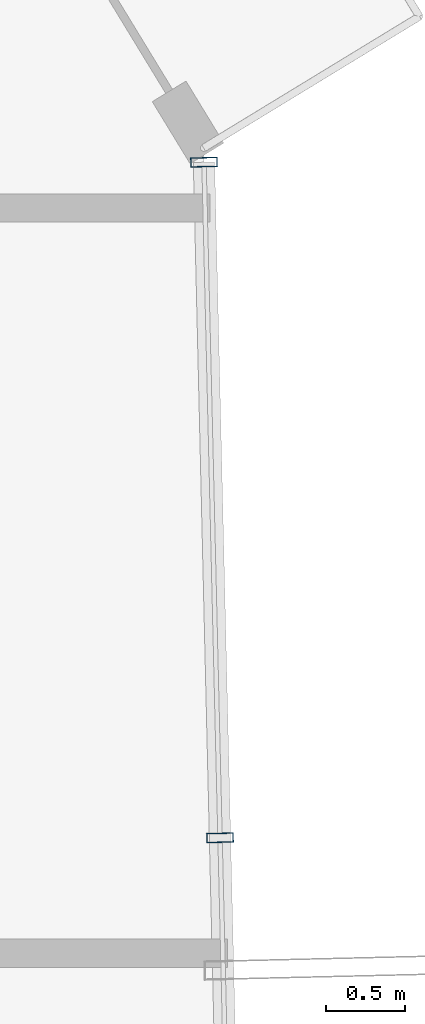
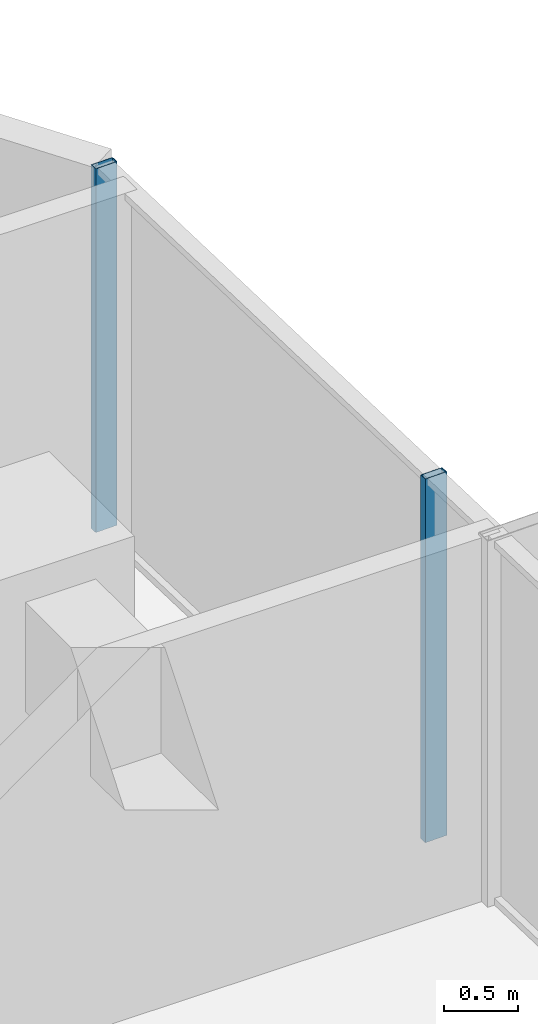
# One storey, part 16 of 31: 2 members, 1 element without a shape of its own.
"""IFC4 building model written with IfcOpenShell, lengths in metres."""

from ifc_helpers import new_model, si_unit, direction, frame, origin, origin_2d, place, context, subcontext, project, spatial, hollow_rectangle, extrude, source, transform, mapped, material, layer, layer_set, material_profile, profile_set, type_object, element, aggregate, save


model = new_model("IFC4")

# Units and contexts
model_context = context("Model", 3, precision=1e-05, world=origin(), true_north=direction((0.0, 1.0)))
body_context = subcontext(model_context, "Body", "Model", "MODEL_VIEW")
ifc_project = project(units=[si_unit("LENGTHUNIT", "METRE"), si_unit("AREAUNIT", "SQUARE_METRE"), si_unit("VOLUMEUNIT", "CUBIC_METRE"), si_unit("PLANEANGLEUNIT", "RADIAN"), si_unit("MASSUNIT", "GRAM", prefix="KILO")], contexts=[model_context])

# Site, building, storey
site_placement = place(None, origin())
site = spatial("IfcSite", under=ifc_project, at=site_placement, CompositionType="ELEMENT")
building_placement = place(site_placement, origin())
building = spatial("IfcBuilding", under=site, at=building_placement, Name="Veraguas Prism Commons", CompositionType="ELEMENT")
storey_placement = place(building_placement, frame((0.0, 0.0, 132.75)))
storey = spatial("IfcBuildingStorey", under=building, at=storey_placement, Name="L37", CompositionType="ELEMENT", Elevation=132.75)

# Curtain wall, members
ifc_material = material(Name="Anodised aluminium EN AW-6063 T6", Category="aluminium")
ifc_layer = layer(ifc_material, 0.169921875, Name="Unitised Flush Curtain Wall Zone 2", Category="aluminium")
ifc_layer_set = layer_set([ifc_layer], Name="Anodised aluminium EN AW-6063 T6")
curtain_wall_type = type_object("IfcCurtainWallType", Name="Unitised Flush Curtain Wall Zone 2", PredefinedType="NOTDEFINED", material=ifc_layer_set)
curtain_wall_placement = place(storey_placement, origin())
curtain_wall = element("IfcCurtainWall", 1, at=curtain_wall_placement, inside=storey, type_object=curtain_wall_type, Name="Tower Facade Curtain Wall L37-F6", PredefinedType="NOTDEFINED")
ifc_material_profile = material_profile(ifc_material, hollow_rectangle(XDim=0.06005859375, YDim=0.169921875, WallThickness=0.00390625, at=origin_2d()), Name="AL60X170X4")
ifc_profile_set = profile_set([ifc_material_profile], Name="Anodised aluminium EN AW-6063 T6")
member_type = type_object("IfcMemberType", Name="Curtain Wall Mullion Lower AL 60x170x4", PredefinedType="MULLION", material=ifc_profile_set)
shared_shape = source(origin(), body_context, "Body", "SweptSolid", [
    extrude(hollow_rectangle(XDim=0.06005859375, YDim=0.169921875, WallThickness=0.00390625, at=origin_2d()), origin(), (0.0, 0.0, 1.0), 3.0),
])
member_1_placement = place(storey_placement, frame((43.07470703125, 28.7626953125, 0.0), z_axis=(0.0, 0.0, 1.0), x_axis=(-0.023737738629, 0.999718220182, 0.0)))
member_1 = element("IfcMember", 2, at=member_1_placement, type_object=member_type, Name="CW-Z2 Mullion 4", PredefinedType="MULLION", context=body_context, shape_type="MappedRepresentation", body=[
    mapped(shared_shape, transform((0.0, 0.0, 0.0), scale=1.0)),
])
member_2_placement = place(storey_placement, frame((42.97314453125, 33.0400390625, 0.0), z_axis=(0.0, 0.0, 1.0), x_axis=(-0.023737738629, 0.999718220182, 0.0)))
member_2 = element("IfcMember", 3, at=member_2_placement, type_object=member_type, Name="CW-Z2 Mullion 5", PredefinedType="MULLION", context=body_context, shape_type="MappedRepresentation", body=[
    mapped(shared_shape, transform((0.0, 0.0, 0.0), scale=1.0)),
])
aggregate(curtain_wall, [member_1, member_2])

save(model, "model.ifc")
